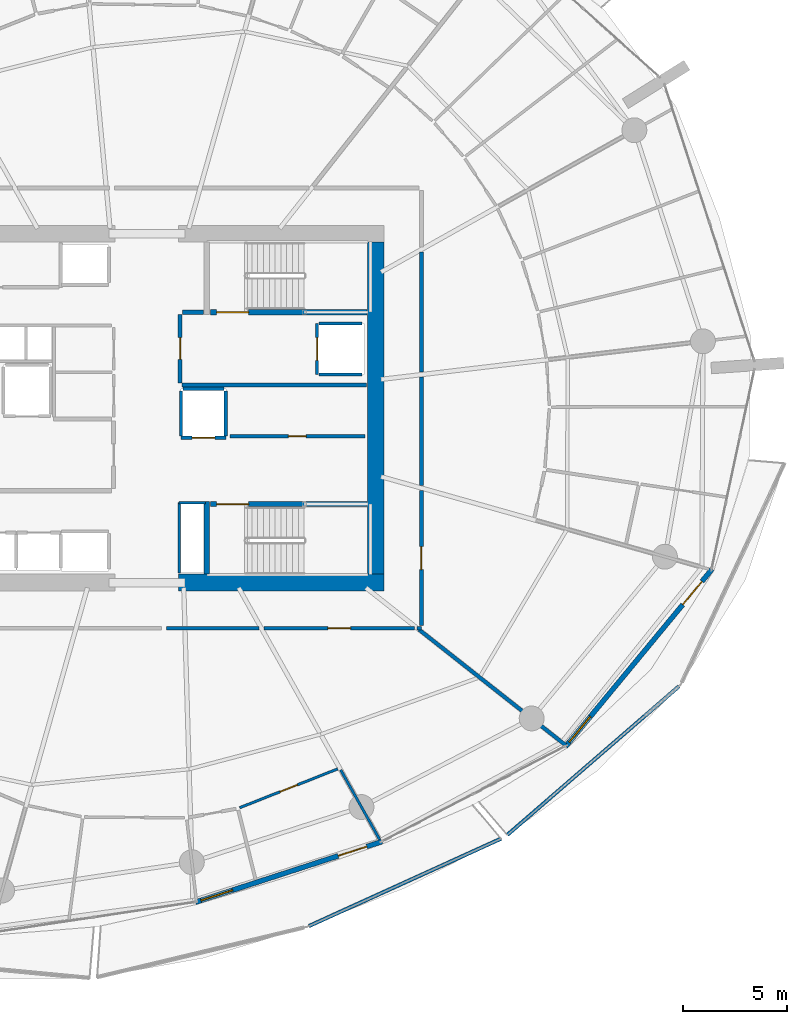
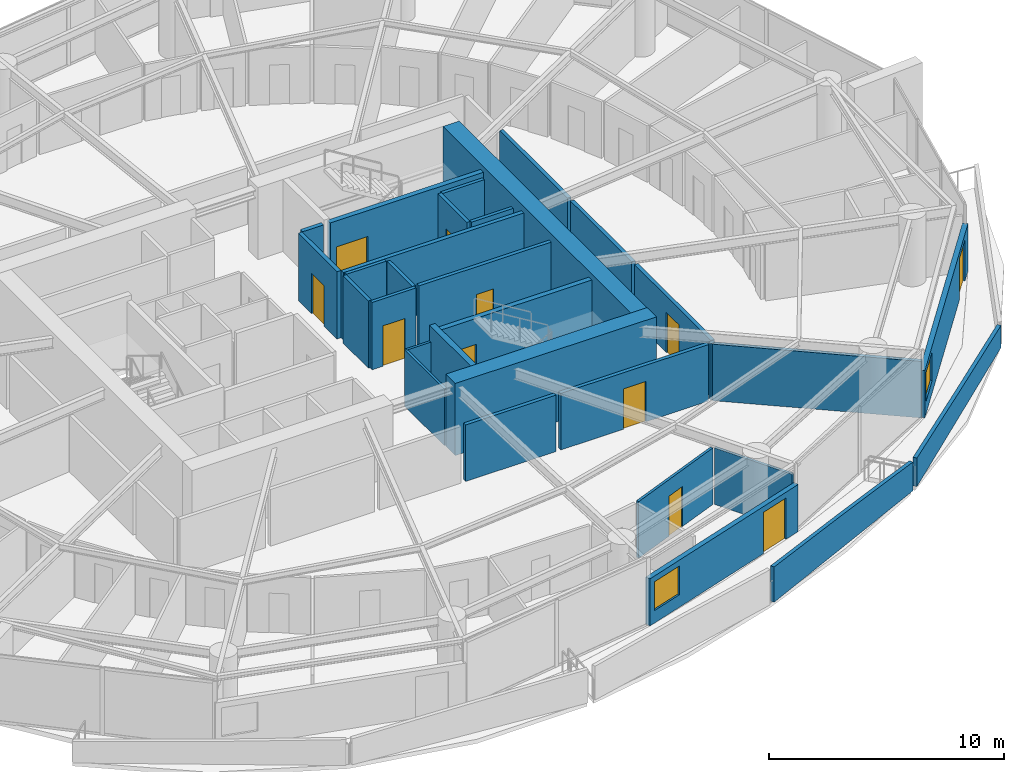
# One storey, part 13 of 23: 31 walls, 11 doors, 2 windows, 13 openings.
"""IFC4 building model written with IfcOpenShell, lengths in metres."""

from ifc_helpers import new_model, si_unit, direction, frame, frame_2d, origin, place, context, subcontext, project, spatial, polyline, rectangle, outline, extrude, material, layer, layer_set, type_object, element, fill, save


model = new_model("IFC4")

# Units and contexts
model_context = context("Model", 3, precision=1e-05, world=origin(), true_north=direction((0.0, 1.0)))
body_context = subcontext(model_context, "Body", "Model", "MODEL_VIEW")
ifc_project = project(units=[si_unit("LENGTHUNIT", "METRE"), si_unit("AREAUNIT", "SQUARE_METRE"), si_unit("VOLUMEUNIT", "CUBIC_METRE"), si_unit("PLANEANGLEUNIT", "RADIAN"), si_unit("MASSUNIT", "GRAM", prefix="KILO")], contexts=[model_context])

# Site, building, storey
site_placement = place(None, origin())
site = spatial("IfcSite", under=ifc_project, at=site_placement, CompositionType="ELEMENT")
building_placement = place(site_placement, origin())
building = spatial("IfcBuilding", under=site, at=building_placement, Name="Kazma Halo Residences", CompositionType="ELEMENT")
storey_placement = place(building_placement, frame((0.0, 0.0, 105.14990234375)))
storey = spatial("IfcBuildingStorey", under=building, at=storey_placement, Name="L26", CompositionType="ELEMENT", Elevation=105.14990234375)

# Walls
ifc_material_1 = material(Name="White Concrete C50/60 Balustrade", Category="concrete")
ifc_layer_1 = layer(ifc_material_1, 0.179931640625)
ifc_layer_set_1 = layer_set([ifc_layer_1], Name="White Concrete C50/60 Balustrade")
wall_type_1 = type_object("IfcWallType", Name="WL-BAL-WAVE-180", PredefinedType="PARAPET", material=ifc_layer_set_1)
wall_1_placement = place(storey_placement, frame((56.23095703125, 17.053466796875, 0.0), z_axis=(0.0, 0.0, 1.0), x_axis=(0.910226702808, 0.41411031078, 0.0)))
element("IfcWall", 1, at=wall_1_placement, inside=storey, type_object=wall_type_1, Name="L26 white wave balustrade wall SSE.2", PredefinedType="PARAPET", context=body_context, shape_type="SweptSolid", body=[
    extrude(outline(polyline([(0.0, 0.0), (10.1728515625, 0.0), (10.1728515625, 1.4970703125), (5.08642578125, 1.696044921875), (0.0, 1.83203125), (0.0, 0.0)])), frame((0.0, 0.08984375, 0.0), z_axis=(0.0, -1.0, 0.0), x_axis=(1.0, 0.0, 0.0)), (0.0, 0.0, 1.0), 0.179931640625),
])
wall_2_placement = place(storey_placement, frame((65.779541015625, 21.4384765625, 0.0), z_axis=(0.0, 0.0, 1.0), x_axis=(0.756090126882, 0.654467508766, 0.0)))
element("IfcWall", 2, at=wall_2_placement, inside=storey, type_object=wall_type_1, Name="L26 white wave balustrade wall SE.1", PredefinedType="PARAPET", context=body_context, shape_type="SweptSolid", body=[
    extrude(outline(polyline([(0.0, 0.0), (10.943115234375, 0.0), (10.943115234375, 1.148193359375), (5.471435546875, 1.2841796875), (0.0, 1.483154296875), (0.0, 0.0)])), frame((0.0, 0.08984375, 0.0), z_axis=(0.0, -1.0, 0.0), x_axis=(1.0, 0.0, 0.0)), (0.0, 0.0, 1.0), 0.179931640625),
])
ifc_material_2 = material(Name="Concrete C80/95", Category="concrete")
ifc_layer_2 = layer(ifc_material_2, 0.800048828125)
ifc_layer_set_2 = layer_set([ifc_layer_2], Name="Concrete C80/95")
wall_type_2 = type_object("IfcWallType", Name="WL-CORE-800", PredefinedType="SHEAR", material=ifc_layer_set_2)
wall_3_placement = place(storey_placement, frame((49.949951171875, 33.60009765625, 0.0), z_axis=(0.0, 0.0, 1.0), x_axis=(1.0, 0.0, 0.0)))
element("IfcWall", 3, at=wall_3_placement, inside=storey, type_object=wall_type_2, Name="L26 central core shear wall SE", PredefinedType="SHEAR", context=body_context, shape_type="SweptSolid", body=[
    extrude(rectangle(XDim=9.900146484375, YDim=0.800048828125, at=frame_2d((4.9501953125, 0.0))), origin(), (0.0, 0.0, 1.0), 3.75),
])
wall_4_placement = place(storey_placement, frame((59.449951171875, 34.0, 0.0), z_axis=(0.0, 0.0, 1.0), x_axis=(0.0, 1.0, 0.0)))
element("IfcWall", 4, at=wall_4_placement, inside=storey, type_object=wall_type_2, Name="L26 central core shear wall E", PredefinedType="SHEAR", context=body_context, shape_type="SweptSolid", body=[
    extrude(rectangle(XDim=16.0, YDim=0.800048828125, at=frame_2d((8.0, 0.0))), origin(), (0.0, 0.0, 1.0), 3.75),
])
ifc_material_3 = material(Name="Concrete C60/75", Category="concrete")
ifc_layer_3 = layer(ifc_material_3, 0.280029296875)
ifc_layer_set_3 = layer_set([ifc_layer_3], Name="Concrete C60/75")
wall_type_3 = type_object("IfcWallType", Name="WL-CORE-ST-280", PredefinedType="SHEAR", material=ifc_layer_set_3)
wall_5_placement = place(storey_placement, frame((51.31005859375, 34.0, 0.0), z_axis=(0.0, 0.0, 1.0), x_axis=(0.0, 1.0, 0.0)))
element("IfcWall", 5, at=wall_5_placement, inside=storey, type_object=wall_type_3, Name="L26 stairwell bearing wall ST03-W", PredefinedType="SHEAR", context=body_context, shape_type="SweptSolid", body=[
    extrude(rectangle(XDim=3.5, YDim=0.280029296875, at=frame_2d((1.75, 0.0))), origin(), (0.0, 0.0, 1.0), 3.75),
])
ifc_material_4 = material(Name="Acoustic Twin-Stud Gypsum")
ifc_layer_4 = layer(ifc_material_4, 0.179931640625)
ifc_layer_set_4 = layer_set([ifc_layer_4], Name="Acoustic Twin-Stud Gypsum")
wall_type_4 = type_object("IfcWallType", Name="WL-DEM-180", PredefinedType="PARTITIONING", material=ifc_layer_set_4)
wall_6_placement = place(storey_placement, frame((61.532470703125, 31.331787109375, 0.0), z_axis=(0.0, 0.0, 1.0), x_axis=(0.785307944478, -0.619105348337, 0.0)))
element("IfcWall", 6, at=wall_6_placement, inside=storey, type_object=wall_type_4, Name="L26 apartment demising radial wall 13", PredefinedType="PARTITIONING", context=body_context, shape_type="SweptSolid", body=[
    extrude(rectangle(XDim=9.006103515625, YDim=0.179931640625, at=frame_2d((4.5029296875, 0.0))), origin(), (0.0, 0.0, 1.0), 2.940185546875),
])

# Wall, opening, door
wall_7_placement = place(storey_placement, frame((54.056396484375, 31.39990234375, 0.0), z_axis=(0.0, 0.0, 1.0), x_axis=(1.0, 0.0, 0.0)))
wall_7 = element("IfcWall", 7, at=wall_7_placement, inside=storey, type_object=wall_type_4, Name="L26 Apartment 2 entrance corridor wall", PredefinedType="PARTITIONING", context=body_context, shape_type="SweptSolid", body=[
    extrude(rectangle(XDim=7.26953125, YDim=0.179931640625, at=frame_2d((3.634765625, 0.0))), origin(), (0.0, 0.0, 1.0), 2.940185546875),
])
opening_1_placement = place(wall_7_placement, frame((3.0849609375, 0.0, 0.0)))
opening_1 = element("IfcOpeningElement", 8, at=opening_1_placement, cuts=wall_7, Name="Opening DA-1100", PredefinedType="OPENING", context=body_context, shape_type="SweptSolid", body=[
    extrude(rectangle(XDim=1.10009765625, YDim=2.10009765625, at=frame_2d((0.550048828125, 1.050048828125))), frame((0.0, 0.099853515625, 0.0), z_axis=(0.0, -1.0, 0.0), x_axis=(1.0, 0.0, 0.0)), (0.0, 0.0, 1.0), 0.199951171875),
])
ifc_material_5 = material(Name="Acoustic Walnut Fire Leaf")
door_type_1 = type_object("IfcDoorType", Name="DR-FD60-1100", OperationType="NOTDEFINED", PredefinedType="DOOR", material=ifc_material_5)
door_1_placement = place(opening_1_placement, origin())
door_1 = element("IfcDoor", 9, at=door_1_placement, inside=storey, type_object=door_type_1, Name="L26 Apartment 2 entrance fire door", OperationType="SINGLE_SWING_LEFT", OverallHeight=2.10009765625, OverallWidth=1.10009765625, PredefinedType="DOOR", context=body_context, shape_type="SweptSolid", body=[
    extrude(rectangle(XDim=1.10009765625, YDim=2.10009765625, at=frame_2d((0.550048828125, 1.050048828125))), frame((0.0, 0.02490234375, 0.0), z_axis=(0.0, -1.0, 0.0), x_axis=(1.0, 0.0, 0.0)), (0.0, 0.0, 1.0), 0.050048828125),
])
fill(opening_1, door_1)

# Walls
wall_8_placement = place(storey_placement, frame((49.37451171875, 31.39990234375, 0.0), z_axis=(0.0, 0.0, 1.0), x_axis=(1.0, 0.0, 0.0)))
element("IfcWall", 10, at=wall_8_placement, inside=storey, type_object=wall_type_4, Name="L26 Apartment 2 inner wall 11", PredefinedType="PARTITIONING", context=body_context, shape_type="SweptSolid", body=[
    extrude(rectangle(XDim=4.44189453125, YDim=0.179931640625, at=frame_2d((2.220947265625, 0.0))), origin(), (0.0, 0.0, 1.0), 2.940185546875),
])
wall_9_placement = place(storey_placement, frame((61.446044921875, 31.39990234375, 0.0), z_axis=(0.0, 0.0, 1.0), x_axis=(1.0, 0.0, 0.0)))
element("IfcWall", 11, at=wall_9_placement, inside=storey, type_object=wall_type_4, Name="L26 Apartment 3 entrance corridor wall", PredefinedType="PARTITIONING", context=body_context, shape_type="SweptSolid", body=[
    extrude(rectangle(XDim=0.203857421875, YDim=0.179931640625, at=frame_2d((0.10205078125, 0.0))), origin(), (0.0, 0.0, 1.0), 2.940185546875),
])

# Wall, opening, door
wall_10_placement = place(storey_placement, frame((61.64990234375, 31.52001953125, 0.0), z_axis=(0.0, 0.0, 1.0), x_axis=(0.0, 1.0, 0.0)))
wall_10 = element("IfcWall", 12, at=wall_10_placement, inside=storey, type_object=wall_type_4, Name="L26 Apartment 3 entrance corridor wall", PredefinedType="PARTITIONING", context=body_context, shape_type="SweptSolid", body=[
    extrude(rectangle(XDim=6.51025390625, YDim=0.179931640625, at=frame_2d((3.255126953125, 0.0))), origin(), (0.0, 0.0, 1.0), 2.940185546875),
])
opening_2_placement = place(wall_10_placement, frame((2.705078125, 0.0, 0.0)))
opening_2 = element("IfcOpeningElement", 13, at=opening_2_placement, cuts=wall_10, Name="Opening DA-1100", PredefinedType="OPENING", context=body_context, shape_type="SweptSolid", body=[
    extrude(rectangle(XDim=1.10009765625, YDim=2.10009765625, at=frame_2d((0.550048828125, 1.050048828125))), frame((0.0, 0.099853515625, 0.0), z_axis=(0.0, -1.0, 0.0), x_axis=(1.0, 0.0, 0.0)), (0.0, 0.0, 1.0), 0.199951171875),
])
door_2_placement = place(opening_2_placement, origin())
door_2 = element("IfcDoor", 14, at=door_2_placement, inside=storey, type_object=door_type_1, Name="L26 Apartment 3 entrance fire door", OperationType="SINGLE_SWING_RIGHT", OverallHeight=2.10009765625, OverallWidth=1.10009765625, PredefinedType="DOOR", context=body_context, shape_type="SweptSolid", body=[
    extrude(rectangle(XDim=1.10009765625, YDim=2.10009765625, at=frame_2d((0.550048828125, 1.050048828125))), frame((0.0, 0.02490234375, 0.0), z_axis=(0.0, -1.0, 0.0), x_axis=(1.0, 0.0, 0.0)), (0.0, 0.0, 1.0), 0.050048828125),
])
fill(opening_2, door_2)

# Walls
wall_11_placement = place(storey_placement, frame((61.64990234375, 38.270263671875, 0.0), z_axis=(0.0, 0.0, 1.0), x_axis=(0.0, 1.0, 0.0)))
element("IfcWall", 15, at=wall_11_placement, inside=storey, type_object=wall_type_4, Name="L26 Apartment 3 inner wall 14", PredefinedType="PARTITIONING", context=body_context, shape_type="SweptSolid", body=[
    extrude(rectangle(XDim=5.225341796875, YDim=0.179931640625, at=frame_2d((2.61279296875, 0.0))), origin(), (0.0, 0.0, 1.0), 2.940185546875),
])
wall_12_placement = place(storey_placement, frame((61.64990234375, 43.735595703125, 0.0), z_axis=(0.0, 0.0, 1.0), x_axis=(0.0, 1.0, 0.0)))
element("IfcWall", 16, at=wall_12_placement, inside=storey, type_object=wall_type_4, Name="L26 Apartment 3 inner wall 15", PredefinedType="PARTITIONING", context=body_context, shape_type="SweptSolid", body=[
    extrude(rectangle(XDim=5.788818359375, YDim=0.179931640625, at=frame_2d((2.89453125, 0.0))), origin(), (0.0, 0.0, 1.0), 2.940185546875),
])

# Wall, openings, door, window
ifc_material_6 = material(Name="Insulated Pale-Metal Composite Wall")
ifc_layer_5 = layer(ifc_material_6, 0.239990234375)
ifc_layer_set_5 = layer_set([ifc_layer_5], Name="Insulated Pale-Metal Composite Wall")
wall_type_5 = type_object("IfcWallType", Name="WL-EXT-HOST-240", PredefinedType="SOLIDWALL", material=ifc_layer_set_5)
wall_13_placement = place(storey_placement, frame((50.76708984375, 18.202880859375, 0.0), z_axis=(0.0, 0.0, 1.0), x_axis=(0.951052494852, 0.30902937083, 0.0)))
wall_13 = element("IfcWall", 17, at=wall_13_placement, inside=storey, type_object=wall_type_5, Name="L26 exterior terrace-access wall B12", PredefinedType="SOLIDWALL", context=body_context, shape_type="SweptSolid", body=[
    extrude(rectangle(XDim=9.44384765625, YDim=0.239990234375, at=frame_2d((4.721923828125, 0.0))), origin(), (0.0, 0.0, 1.0), 2.4501953125),
])
opening_3_placement = place(wall_13_placement, frame((7.223876953125, 0.0, 0.0)))
opening_3 = element("IfcOpeningElement", 18, at=opening_3_placement, cuts=wall_13, Name="Opening DTR-1600", PredefinedType="OPENING", context=body_context, shape_type="SweptSolid", body=[
    extrude(rectangle(XDim=1.449951171875, YDim=2.14990234375, at=frame_2d((0.72509765625, 1.074951171875))), frame((0.0, 0.1298828125, 0.0), z_axis=(0.0, -1.0, 0.0), x_axis=(1.0, 0.0, 0.0)), (0.0, 0.0, 1.0), 0.260009765625),
])
opening_4_placement = place(wall_13_placement, frame((0.280029296875, 0.0, 0.64990234375)))
opening_4 = element("IfcOpeningElement", 19, at=opening_4_placement, cuts=wall_13, Name="Opening W-1800", PredefinedType="OPENING", context=body_context, shape_type="SweptSolid", body=[
    extrude(rectangle(XDim=1.60009765625, YDim=1.5, at=frame_2d((0.800048828125, 0.75))), frame((0.0, 0.1298828125, 0.0), z_axis=(0.0, -1.0, 0.0), x_axis=(1.0, 0.0, 0.0)), (0.0, 0.0, 1.0), 0.260009765625),
])
ifc_material_7 = material(Name="Aluminium AW-6063 T6 Double-Glazed Terrace Door", Category="aluminium")
door_type_2 = type_object("IfcDoorType", Name="DR-EXT-TERR-1600", OperationType="NOTDEFINED", PredefinedType="DOOR", material=ifc_material_7)
door_3_placement = place(opening_3_placement, origin())
door_3 = element("IfcDoor", 20, at=door_3_placement, inside=storey, type_object=door_type_2, Name="L26 B12 balcony terrace door", OperationType="DOUBLE_DOOR_SLIDING", OverallHeight=2.14990234375, OverallWidth=1.449951171875, PredefinedType="DOOR", context=body_context, shape_type="SweptSolid", body=[
    extrude(rectangle(XDim=1.449951171875, YDim=2.14990234375, at=frame_2d((0.72509765625, 1.074951171875))), frame((0.0, 0.02490234375, 0.0), z_axis=(0.0, -1.0, 0.0), x_axis=(1.0, 0.0, 0.0)), (0.0, 0.0, 1.0), 0.050048828125),
])
fill(opening_3, door_3)
ifc_material_8 = material(Name="Clear Triple-Silver Low-E Glass in Aluminium AW-6063 T6 Frame", Category="aluminium")
window_type = type_object("IfcWindowType", Name="WIN-RES-1800", PartitioningType="DOUBLE_PANEL_VERTICAL", PredefinedType="WINDOW", material=ifc_material_8)
window_1_placement = place(opening_4_placement, origin())
window_1 = element("IfcWindow", 21, at=window_1_placement, inside=storey, type_object=window_type, Name="L26 B12 apartment window", OverallHeight=1.5, OverallWidth=1.60009765625, PartitioningType="SINGLE_PANEL", PredefinedType="WINDOW", context=body_context, shape_type="SweptSolid", body=[
    extrude(rectangle(XDim=1.60009765625, YDim=1.5, at=frame_2d((0.800048828125, 0.75))), frame((0.0, 0.030029296875, 0.0), z_axis=(0.0, -1.0, 0.0), x_axis=(1.0, 0.0, 0.0)), (0.0, 0.0, 1.0), 0.06005859375),
])
fill(opening_4, window_1)

wall_14_placement = place(storey_placement, frame((68.593017578125, 25.7021484375, 0.0), z_axis=(0.0, 0.0, 1.0), x_axis=(0.636704975, 0.771107498868, 0.0)))
wall_14 = element("IfcWall", 22, at=wall_14_placement, inside=storey, type_object=wall_type_5, Name="L26 exterior terrace-access wall B14", PredefinedType="SOLIDWALL", context=body_context, shape_type="SweptSolid", body=[
    extrude(rectangle(XDim=11.084228515625, YDim=0.239990234375, at=frame_2d((5.5419921875, 0.0))), origin(), (0.0, 0.0, 1.0), 2.4501953125),
])
opening_5_placement = place(wall_14_placement, frame((8.8642578125, 0.0, 0.0)))
opening_5 = element("IfcOpeningElement", 23, at=opening_5_placement, cuts=wall_14, Name="Opening DTR-1600", PredefinedType="OPENING", context=body_context, shape_type="SweptSolid", body=[
    extrude(rectangle(XDim=1.449951171875, YDim=2.14990234375, at=frame_2d((0.72509765625, 1.074951171875))), frame((0.0, 0.1298828125, 0.0), z_axis=(0.0, -1.0, 0.0), x_axis=(1.0, 0.0, 0.0)), (0.0, 0.0, 1.0), 0.260009765625),
])
opening_6_placement = place(wall_14_placement, frame((0.280029296875, 0.0, 0.64990234375)))
opening_6 = element("IfcOpeningElement", 24, at=opening_6_placement, cuts=wall_14, Name="Opening W-1800", PredefinedType="OPENING", context=body_context, shape_type="SweptSolid", body=[
    extrude(rectangle(XDim=1.60009765625, YDim=1.5, at=frame_2d((0.800048828125, 0.75))), frame((0.0, 0.1298828125, 0.0), z_axis=(0.0, -1.0, 0.0), x_axis=(1.0, 0.0, 0.0)), (0.0, 0.0, 1.0), 0.260009765625),
])
door_4_placement = place(opening_5_placement, origin())
door_4 = element("IfcDoor", 25, at=door_4_placement, inside=storey, type_object=door_type_2, Name="L26 B14 balcony terrace door", OperationType="DOUBLE_DOOR_SLIDING", OverallHeight=2.14990234375, OverallWidth=1.449951171875, PredefinedType="DOOR", context=body_context, shape_type="SweptSolid", body=[
    extrude(rectangle(XDim=1.449951171875, YDim=2.14990234375, at=frame_2d((0.72509765625, 1.074951171875))), frame((0.0, 0.02490234375, 0.0), z_axis=(0.0, -1.0, 0.0), x_axis=(1.0, 0.0, 0.0)), (0.0, 0.0, 1.0), 0.050048828125),
])
fill(opening_5, door_4)
window_2_placement = place(opening_6_placement, origin())
window_2 = element("IfcWindow", 26, at=window_2_placement, inside=storey, type_object=window_type, Name="L26 B14 apartment window", OverallHeight=1.5, OverallWidth=1.60009765625, PartitioningType="SINGLE_PANEL", PredefinedType="WINDOW", context=body_context, shape_type="SweptSolid", body=[
    extrude(rectangle(XDim=1.60009765625, YDim=1.5, at=frame_2d((0.800048828125, 0.75))), frame((0.0, 0.030029296875, 0.0), z_axis=(0.0, -1.0, 0.0), x_axis=(1.0, 0.0, 0.0)), (0.0, 0.0, 1.0), 0.06005859375),
])
fill(opening_6, window_2)

# Wall, opening, door
ifc_material_9 = material(Name="Fire-Rated Blockwork Masonry", Category="masonry")
ifc_layer_6 = layer(ifc_material_9, 0.199951171875)
ifc_layer_set_6 = layer_set([ifc_layer_6], Name="Fire-Rated Blockwork Masonry")
wall_type_6 = type_object("IfcWallType", Name="WL-FLB-200", PredefinedType="PARTITIONING", material=ifc_layer_set_6)
wall_15_placement = place(storey_placement, frame((56.6201171875, 46.080078125, 0.0), z_axis=(0.0, 0.0, 1.0), x_axis=(0.0, -1.0, 0.0)))
wall_15 = element("IfcWall", 27, at=wall_15_placement, inside=storey, type_object=wall_type_6, Name="L26 lift shaft FL-02 front wall", PredefinedType="PARTITIONING", context=body_context, shape_type="SweptSolid", body=[
    extrude(rectangle(XDim=2.4599609375, YDim=0.159912109375, at=frame_2d((1.22998046875, 0.0))), origin(), (0.0, 0.0, 1.0), 3.5),
])
opening_7_placement = place(wall_15_placement, frame((0.679931640625, 0.0, 0.0)))
opening_7 = element("IfcOpeningElement", 28, at=opening_7_placement, cuts=wall_15, Name="Opening LD-FL-02", PredefinedType="OPENING", context=body_context, shape_type="SweptSolid", body=[
    extrude(rectangle(XDim=1.10009765625, YDim=2.10009765625, at=frame_2d((0.550048828125, 1.050048828125))), frame((0.0, 0.08984375, 0.0), z_axis=(0.0, -1.0, 0.0), x_axis=(1.0, 0.0, 0.0)), (0.0, 0.0, 1.0), 0.179931640625),
])
ifc_material_10 = material(Name="Stainless Steel Fire-Rated", Category="steel")
door_type_3 = type_object("IfcDoorType", Name="DR-LIFT-SLD-1100", OperationType="DOUBLE_DOOR_SLIDING", PredefinedType="DOOR", material=ifc_material_10)
door_5_placement = place(opening_7_placement, origin())
door_5 = element("IfcDoor", 29, at=door_5_placement, inside=storey, type_object=door_type_3, Name="L26 lift FL-02 sliding landing door", OperationType="DOUBLE_DOOR_SLIDING", OverallHeight=2.10009765625, OverallWidth=1.10009765625, PredefinedType="DOOR", context=body_context, shape_type="SweptSolid", body=[
    extrude(rectangle(XDim=1.10009765625, YDim=2.10009765625, at=frame_2d((0.550048828125, 1.050048828125))), frame((0.0, 0.02490234375, 0.0), z_axis=(0.0, -1.0, 0.0), x_axis=(1.0, 0.0, 0.0)), (0.0, 0.0, 1.0), 0.050048828125),
])
fill(opening_7, door_5)

# Walls
for number, where, z_axis, x_axis, name in (
    (30, (56.719970703125, 46.080078125, 0.0), (0.0, 0.0, 1.0), (1.0, 0.0, 0.0), "L26 lift shaft FL-02 side wall N"),
    (31, (56.719970703125, 43.6201171875, 0.0), (0.0, 0.0, 1.0), (1.0, 0.0, 0.0), "L26 lift shaft FL-02 side wall S"),
):
    element("IfcWall", number, at=place(storey_placement, frame(where, z_axis=z_axis, x_axis=x_axis)), inside=storey, type_object=wall_type_6, Name=name, PredefinedType="PARTITIONING", context=body_context, shape_type="SweptSolid", body=[
        extrude(rectangle(XDim=2.06005859375, YDim=0.159912109375, at=frame_2d((1.030029296875, 0.0))), origin(), (0.0, 0.0, 1.0), 3.5),
    ])

# Wall, opening, door
wall_16_placement = place(storey_placement, frame((52.22998046875, 40.570068359375, 0.0), z_axis=(0.0, 0.0, 1.0), x_axis=(-1.0, 0.0, 0.0)))
wall_16 = element("IfcWall", 32, at=wall_16_placement, inside=storey, type_object=wall_type_6, Name="L26 lift shaft SV-01 front wall", PredefinedType="PARTITIONING", context=body_context, shape_type="SweptSolid", body=[
    extrude(rectangle(XDim=2.159912109375, YDim=0.159912109375, at=frame_2d((1.080078125, 0.0))), origin(), (0.0, 0.0, 1.0), 3.5),
])
opening_8_placement = place(wall_16_placement, frame((0.530029296875, 0.0, 0.0)))
opening_8 = element("IfcOpeningElement", 33, at=opening_8_placement, cuts=wall_16, Name="Opening LD-SV-01", PredefinedType="OPENING", context=body_context, shape_type="SweptSolid", body=[
    extrude(rectangle(XDim=1.10009765625, YDim=2.10009765625, at=frame_2d((0.550048828125, 1.050048828125))), frame((0.0, 0.08984375, 0.0), z_axis=(0.0, -1.0, 0.0), x_axis=(1.0, 0.0, 0.0)), (0.0, 0.0, 1.0), 0.179931640625),
])
door_6_placement = place(opening_8_placement, origin())
door_6 = element("IfcDoor", 34, at=door_6_placement, inside=storey, type_object=door_type_3, Name="L26 lift SV-01 sliding landing door", OperationType="DOUBLE_DOOR_SLIDING", OverallHeight=2.10009765625, OverallWidth=1.10009765625, PredefinedType="DOOR", context=body_context, shape_type="SweptSolid", body=[
    extrude(rectangle(XDim=1.10009765625, YDim=2.10009765625, at=frame_2d((0.550048828125, 1.050048828125))), frame((0.0, 0.02490234375, 0.0), z_axis=(0.0, -1.0, 0.0), x_axis=(1.0, 0.0, 0.0)), (0.0, 0.0, 1.0), 0.050048828125),
])
fill(opening_8, door_6)

# Walls
for number, where, z_axis, x_axis, name in (
    (35, (52.22998046875, 40.669921875, 0.0), (0.0, 0.0, 1.0), (0.0, 1.0, 0.0), "L26 lift shaft SV-01 side wall E"),
    (36, (50.070068359375, 40.669921875, 0.0), (0.0, 0.0, 1.0), (0.0, 1.0, 0.0), "L26 lift shaft SV-01 side wall W"),
):
    element("IfcWall", number, at=place(storey_placement, frame(where, z_axis=z_axis, x_axis=x_axis)), inside=storey, type_object=wall_type_6, Name=name, PredefinedType="PARTITIONING", context=body_context, shape_type="SweptSolid", body=[
        extrude(rectangle(XDim=2.16015625, YDim=0.159912109375, at=frame_2d((1.080078125, 0.0))), origin(), (0.0, 0.0, 1.0), 3.5),
    ])
wall_17_placement = place(storey_placement, frame((50.169921875, 42.929931640625, 0.0), z_axis=(0.0, 0.0, 1.0), x_axis=(1.0, 0.0, 0.0)))
element("IfcWall", 37, at=wall_17_placement, inside=storey, type_object=wall_type_6, Name="L26 lift shaft SV-01 side wall N", PredefinedType="PARTITIONING", context=body_context, shape_type="SweptSolid", body=[
    extrude(rectangle(XDim=1.9599609375, YDim=0.159912109375, at=frame_2d((0.97998046875, 0.0))), origin(), (0.0, 0.0, 1.0), 3.5),
])

# Wall, opening, door
wall_18_placement = place(storey_placement, frame((52.419921875, 40.64990234375, 0.0), z_axis=(0.0, 0.0, 1.0), x_axis=(1.0, 0.0, 0.0)))
wall_18 = element("IfcWall", 38, at=wall_18_placement, inside=storey, type_object=wall_type_6, Name="L26 core east reserve wall", PredefinedType="PARTITIONING", context=body_context, shape_type="SweptSolid", body=[
    extrude(rectangle(XDim=6.5, YDim=0.179931640625, at=frame_2d((3.25, 0.0))), origin(), (0.0, 0.0, 1.0), 3.5),
])
opening_9_placement = place(wall_18_placement, frame((2.824951171875, 0.0, 0.0)))
opening_9 = element("IfcOpeningElement", 39, at=opening_9_placement, cuts=wall_18, Name="Opening DS-850", PredefinedType="OPENING", context=body_context, shape_type="SweptSolid", body=[
    extrude(rectangle(XDim=0.85009765625, YDim=2.06005859375, at=frame_2d((0.425048828125, 1.030029296875))), frame((0.0, 0.099853515625, 0.0), z_axis=(0.0, -1.0, 0.0), x_axis=(1.0, 0.0, 0.0)), (0.0, 0.0, 1.0), 0.199951171875),
])
ifc_material_11 = material(Name="Painted Steel Access Leaf", Category="steel")
door_type_4 = type_object("IfcDoorType", Name="DR-SVC-850", OperationType="NOTDEFINED", PredefinedType="DOOR", material=ifc_material_11)
door_7_placement = place(opening_9_placement, origin())
door_7 = element("IfcDoor", 40, at=door_7_placement, inside=storey, type_object=door_type_4, Name="L26 core east reserve door", OperationType="SINGLE_SWING_LEFT", OverallHeight=2.06005859375, OverallWidth=0.85009765625, PredefinedType="DOOR", context=body_context, shape_type="SweptSolid", body=[
    extrude(rectangle(XDim=0.85009765625, YDim=2.06005859375, at=frame_2d((0.425048828125, 1.030029296875))), frame((0.0, 0.02490234375, 0.0), z_axis=(0.0, -1.0, 0.0), x_axis=(1.0, 0.0, 0.0)), (0.0, 0.0, 1.0), 0.050048828125),
])
fill(opening_9, door_7)

# Walls
wall_19_placement = place(storey_placement, frame((50.1201171875, 43.1201171875, 0.0), z_axis=(0.0, 0.0, 1.0), x_axis=(1.0, 0.0, 0.0)))
element("IfcWall", 41, at=wall_19_placement, inside=storey, type_object=wall_type_6, Name="L26 east firefighting lobby south smoke wall", PredefinedType="PARTITIONING", context=body_context, shape_type="SweptSolid", body=[
    extrude(rectangle(XDim=8.8798828125, YDim=0.199951171875, at=frame_2d((4.43994140625, 0.0))), origin(), (0.0, 0.0, 1.0), 3.5),
])
wall_20_placement = place(storey_placement, frame((50.139892578125, 46.6201171875, 0.0), z_axis=(0.0, 0.0, 1.0), x_axis=(1.0, 0.0, 0.0)))
element("IfcWall", 42, at=wall_20_placement, inside=storey, type_object=wall_type_6, Name="L26 east firefighting lobby north closure wall", PredefinedType="PARTITIONING", context=body_context, shape_type="SweptSolid", body=[
    extrude(rectangle(XDim=1.02001953125, YDim=0.199951171875, at=frame_2d((0.510009765625, 0.0))), origin(), (0.0, 0.0, 1.0), 3.5),
])

# Wall, opening, door
wall_21_placement = place(storey_placement, frame((50.02001953125, 43.219970703125, 0.0), z_axis=(0.0, 0.0, 1.0), x_axis=(0.0, 1.0, 0.0)))
wall_21 = element("IfcWall", 43, at=wall_21_placement, inside=storey, type_object=wall_type_6, Name="L26 east firefighting lobby smoke wall", PredefinedType="PARTITIONING", context=body_context, shape_type="SweptSolid", body=[
    extrude(rectangle(XDim=3.300048828125, YDim=0.199951171875, at=frame_2d((1.64990234375, 0.0))), origin(), (0.0, 0.0, 1.0), 3.5),
])
opening_10_placement = place(wall_21_placement, frame((1.125, 0.0, 0.0)))
opening_10 = element("IfcOpeningElement", 44, at=opening_10_placement, cuts=wall_21, Name="Opening D-FLE", PredefinedType="OPENING", context=body_context, shape_type="SweptSolid", body=[
    extrude(rectangle(XDim=1.050048828125, YDim=2.10009765625, at=frame_2d((0.52490234375, 1.050048828125))), frame((0.0, 0.10986328125, 0.0), z_axis=(0.0, -1.0, 0.0), x_axis=(1.0, 0.0, 0.0)), (0.0, 0.0, 1.0), 0.219970703125),
])
ifc_material_12 = material(Name="Fire-Rated Steel Leaf", Category="steel")
door_type_5 = type_object("IfcDoorType", Name="DR-FD90-1050", OperationType="NOTDEFINED", PredefinedType="DOOR", material=ifc_material_12)
door_8_placement = place(opening_10_placement, origin())
door_8 = element("IfcDoor", 45, at=door_8_placement, inside=storey, type_object=door_type_5, Name="L26 east firefighting lobby smoke door", OperationType="SINGLE_SWING_RIGHT", OverallHeight=2.10009765625, OverallWidth=1.050048828125, PredefinedType="DOOR", context=body_context, shape_type="SweptSolid", body=[
    extrude(rectangle(XDim=1.050048828125, YDim=2.10009765625, at=frame_2d((0.52490234375, 1.050048828125))), frame((0.0, 0.02490234375, 0.0), z_axis=(0.0, -1.0, 0.0), x_axis=(1.0, 0.0, 0.0)), (0.0, 0.0, 1.0), 0.050048828125),
])
fill(opening_10, door_8)

# Walls
ifc_material_13 = material(Name="Gypsum Plasterboard Partition")
ifc_layer_7 = layer(ifc_material_13, 0.125)
ifc_layer_set_7 = layer_set([ifc_layer_7], Name="Gypsum Plasterboard Partition")
wall_type_7 = type_object("IfcWallType", Name="WL-PART-125", PredefinedType="PARTITIONING", material=ifc_layer_set_7)
wall_22_placement = place(storey_placement, frame((49.97998046875, 34.06005859375, 0.0), z_axis=(0.0, 0.0, 1.0), x_axis=(0.0, 1.0, 0.0)))
element("IfcWall", 46, at=wall_22_placement, inside=storey, type_object=wall_type_7, Name="L26 standpipe riser wall", PredefinedType="PARTITIONING", context=body_context, shape_type="SweptSolid", body=[
    extrude(rectangle(XDim=3.39990234375, YDim=0.125, at=frame_2d((1.699951171875, 0.0))), origin(), (0.0, 0.0, 1.0), 2.940185546875),
])
wall_23_placement = place(storey_placement, frame((49.97998046875, 37.43994140625, 0.0), z_axis=(0.0, 0.0, 1.0), x_axis=(1.0, 0.0, 0.0)))
element("IfcWall", 47, at=wall_23_placement, inside=storey, type_object=wall_type_7, Name="L26 standpipe riser north wall", PredefinedType="PARTITIONING", context=body_context, shape_type="SweptSolid", body=[
    extrude(rectangle(XDim=1.260009765625, YDim=0.125, at=frame_2d((0.6298828125, 0.0))), origin(), (0.0, 0.0, 1.0), 2.940185546875),
])
wall_24_placement = place(storey_placement, frame((57.7587890625, 24.57470703125, 0.0), z_axis=(0.0, 0.0, 1.0), x_axis=(0.488595646066, -0.87251034071, 0.0)))
element("IfcWall", 48, at=wall_24_placement, inside=storey, type_object=wall_type_7, Name="L26 Apartment 2 living radial partition 11", PredefinedType="PARTITIONING", context=body_context, shape_type="SweptSolid", body=[
    extrude(rectangle(XDim=3.8505859375, YDim=0.125, at=frame_2d((1.92529296875, 0.0))), origin(), (0.0, 0.0, 1.0), 2.940185546875),
])

# Wall, opening, door
wall_25_placement = place(storey_placement, frame((52.889404296875, 22.751220703125, 0.0), z_axis=(0.0, 0.0, 1.0), x_axis=(0.929640857273, 0.368466927266, 0.0)))
wall_25 = element("IfcWall", 49, at=wall_25_placement, inside=storey, type_object=wall_type_7, Name="L26 Apartment 2 Corner Master Bedroom hall wall", PredefinedType="PARTITIONING", context=body_context, shape_type="SweptSolid", body=[
    extrude(rectangle(XDim=5.08544921875, YDim=0.125, at=frame_2d((2.542724609375, 0.0))), origin(), (0.0, 0.0, 1.0), 2.940185546875),
])
opening_11_placement = place(wall_25_placement, frame((2.092529296875, 0.0, 0.0)))
opening_11 = element("IfcOpeningElement", 50, at=opening_11_placement, cuts=wall_25, Name="Opening DI-950", PredefinedType="OPENING", context=body_context, shape_type="SweptSolid", body=[
    extrude(rectangle(XDim=0.89990234375, YDim=2.080078125, at=frame_2d((0.449951171875, 1.0400390625))), frame((0.0, 0.072509765625, 0.0), z_axis=(0.0, -1.0, 0.0), x_axis=(1.0, 0.0, 0.0)), (0.0, 0.0, 1.0), 0.14501953125),
])
ifc_material_14 = material(Name="Timber Veneer Flush Leaf", Category="wood")
door_type_6 = type_object("IfcDoorType", Name="DR-INT-950", OperationType="NOTDEFINED", PredefinedType="DOOR", material=ifc_material_14)
door_9_placement = place(opening_11_placement, origin())
door_9 = element("IfcDoor", 51, at=door_9_placement, inside=storey, type_object=door_type_6, Name="L26 Apartment 2 Corner Master Bedroom door", OperationType="SINGLE_SWING_RIGHT", OverallHeight=2.080078125, OverallWidth=0.89990234375, PredefinedType="DOOR", context=body_context, shape_type="SweptSolid", body=[
    extrude(rectangle(XDim=0.89990234375, YDim=2.080078125, at=frame_2d((0.449951171875, 1.0400390625))), frame((0.0, 0.02490234375, 0.0), z_axis=(0.0, -1.0, 0.0), x_axis=(1.0, 0.0, 0.0)), (0.0, 0.0, 1.0), 0.050048828125),
])
fill(opening_11, door_9)

ifc_material_15 = material(Name="Concrete C50/60", Category="concrete")
ifc_layer_8 = layer(ifc_material_15, 0.25)
ifc_layer_set_8 = layer_set([ifc_layer_8], Name="Concrete C50/60")
wall_type_8 = type_object("IfcWallType", Name="WL-SHF-250", PredefinedType="SOLIDWALL", material=ifc_layer_set_8)
wall_26_placement = place(storey_placement, frame((51.47998046875, 46.6201171875, 0.0), z_axis=(0.0, 0.0, 1.0), x_axis=(1.0, 0.0, 0.0)))
wall_26 = element("IfcWall", 52, at=wall_26_placement, inside=storey, type_object=wall_type_8, Name="L26 exit stair ST-02 enclosure wall", PredefinedType="SOLIDWALL", context=body_context, shape_type="SweptSolid", body=[
    extrude(rectangle(XDim=7.5400390625, YDim=0.25, at=frame_2d((3.77001953125, 0.0))), origin(), (0.0, 0.0, 1.0), 3.5),
])
opening_12_placement = place(wall_26_placement, frame((0.300048828125, 0.0, 0.0)))
opening_12 = element("IfcOpeningElement", 53, at=opening_12_placement, cuts=wall_26, Name="Opening D-ST2", PredefinedType="OPENING", context=body_context, shape_type="SweptSolid", body=[
    extrude(rectangle(XDim=1.550048828125, YDim=2.14990234375, at=frame_2d((0.77490234375, 1.074951171875))), frame((0.0, 0.135009765625, 0.0), z_axis=(0.0, -1.0, 0.0), x_axis=(1.0, 0.0, 0.0)), (0.0, 0.0, 1.0), 0.27001953125),
])
ifc_material_16 = material(Name="Fire-Rated Double Steel Leaf", Category="steel")
door_type_7 = type_object("IfcDoorType", Name="DR-FD90-1550", OperationType="NOTDEFINED", PredefinedType="DOOR", material=ifc_material_16)
door_10_placement = place(opening_12_placement, origin())
door_10 = element("IfcDoor", 54, at=door_10_placement, inside=storey, type_object=door_type_7, Name="L26 exit stair ST-02 fire door", OperationType="DOUBLE_DOOR_SINGLE_SWING", OverallHeight=2.14990234375, OverallWidth=1.550048828125, PredefinedType="DOOR", context=body_context, shape_type="SweptSolid", body=[
    extrude(rectangle(XDim=1.550048828125, YDim=2.14990234375, at=frame_2d((0.77490234375, 1.074951171875))), frame((0.0, 0.02490234375, 0.0), z_axis=(0.0, -1.0, 0.0), x_axis=(1.0, 0.0, 0.0)), (0.0, 0.0, 1.0), 0.050048828125),
])
fill(opening_12, door_10)

wall_27_placement = place(storey_placement, frame((51.47998046875, 37.3798828125, 0.0), z_axis=(0.0, 0.0, 1.0), x_axis=(1.0, 0.0, 0.0)))
wall_27 = element("IfcWall", 55, at=wall_27_placement, inside=storey, type_object=wall_type_8, Name="L26 exit stair ST-03 enclosure wall", PredefinedType="SOLIDWALL", context=body_context, shape_type="SweptSolid", body=[
    extrude(rectangle(XDim=7.5400390625, YDim=0.25, at=frame_2d((3.77001953125, 0.0))), origin(), (0.0, 0.0, 1.0), 3.5),
])
opening_13_placement = place(wall_27_placement, frame((0.300048828125, 0.0, 0.0)))
opening_13 = element("IfcOpeningElement", 56, at=opening_13_placement, cuts=wall_27, Name="Opening D-ST3", PredefinedType="OPENING", context=body_context, shape_type="SweptSolid", body=[
    extrude(rectangle(XDim=1.550048828125, YDim=2.14990234375, at=frame_2d((0.77490234375, 1.074951171875))), frame((0.0, 0.135009765625, 0.0), z_axis=(0.0, -1.0, 0.0), x_axis=(1.0, 0.0, 0.0)), (0.0, 0.0, 1.0), 0.27001953125),
])
door_11_placement = place(opening_13_placement, origin())
door_11 = element("IfcDoor", 57, at=door_11_placement, inside=storey, type_object=door_type_7, Name="L26 exit stair ST-03 fire door", OperationType="DOUBLE_DOOR_SINGLE_SWING", OverallHeight=2.14990234375, OverallWidth=1.550048828125, PredefinedType="DOOR", context=body_context, shape_type="SweptSolid", body=[
    extrude(rectangle(XDim=1.550048828125, YDim=2.14990234375, at=frame_2d((0.77490234375, 1.074951171875))), frame((0.0, 0.02490234375, 0.0), z_axis=(0.0, -1.0, 0.0), x_axis=(1.0, 0.0, 0.0)), (0.0, 0.0, 1.0), 0.050048828125),
])
fill(opening_13, door_11)

save(model, "model.ifc")
